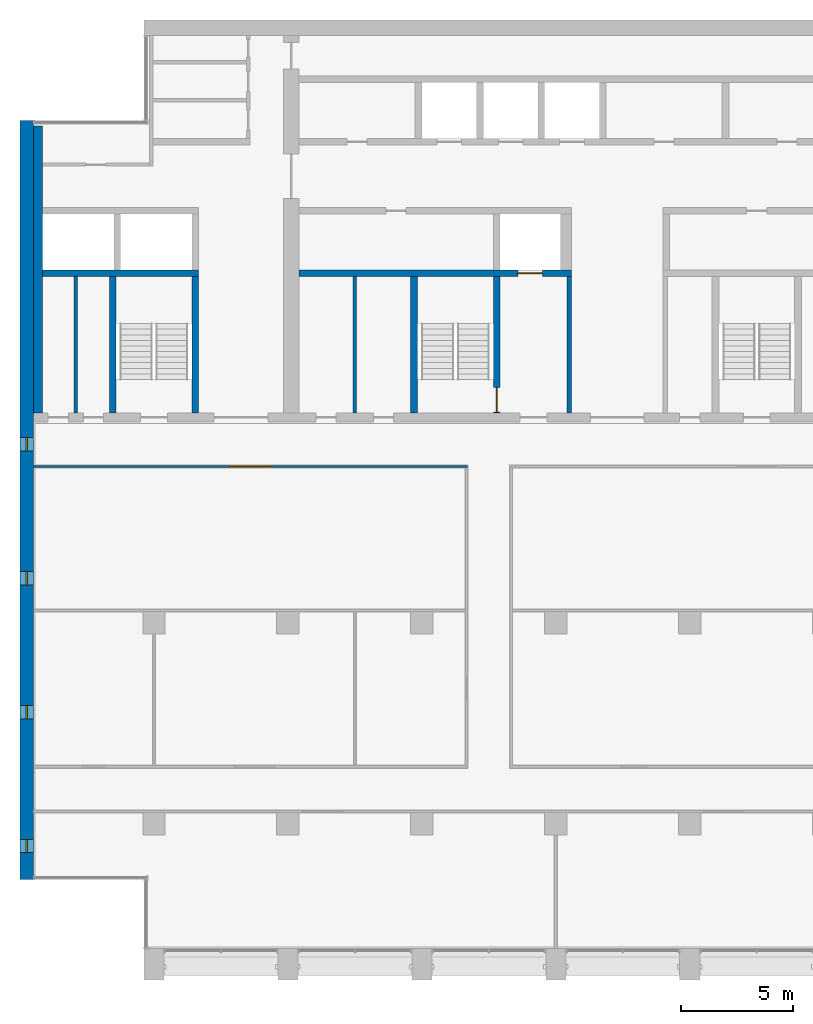
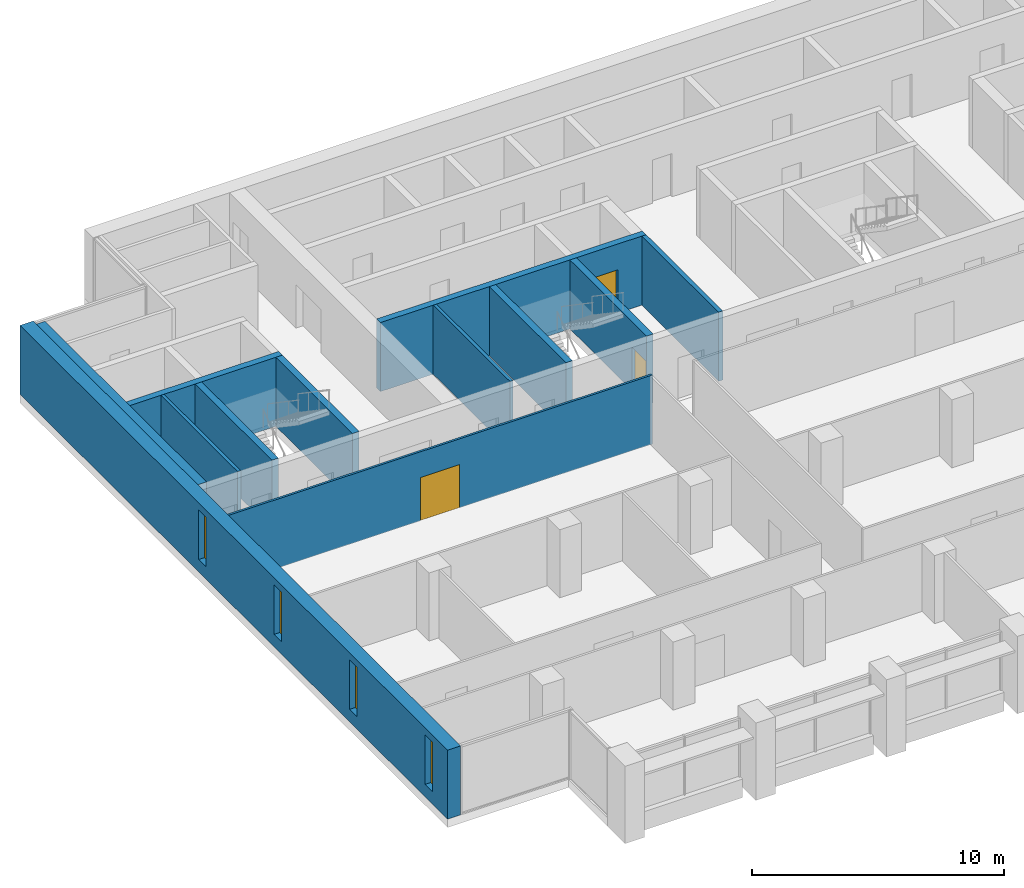
# One storey, part 8 of 17: 12 walls, 4 windows, 3 doors, 7 openings.
"""IFC4 building model written with IfcOpenShell, lengths in metres."""

from ifc_helpers import new_model, si_unit, direction, frame, frame_2d, origin, place, context, subcontext, project, spatial, rectangle, extrude, material, layer, layer_set, type_object, element, fill, save


model = new_model("IFC4")

# Units and contexts
model_context = context("Model", 3, precision=1e-05, world=origin(), true_north=direction((0.0, 1.0)))
body_context = subcontext(model_context, "Body", "Model", "MODEL_VIEW")
ifc_project = project(units=[si_unit("LENGTHUNIT", "METRE"), si_unit("AREAUNIT", "SQUARE_METRE"), si_unit("VOLUMEUNIT", "CUBIC_METRE"), si_unit("PLANEANGLEUNIT", "RADIAN"), si_unit("MASSUNIT", "GRAM", prefix="KILO")], contexts=[model_context])

# Site, building, storey
site_placement = place(None, origin())
site = spatial("IfcSite", under=ifc_project, at=site_placement, CompositionType="ELEMENT")
building_placement = place(site_placement, origin())
building = spatial("IfcBuilding", under=site, at=building_placement, Name="Calvaro Tower", CompositionType="ELEMENT")
storey_placement = place(building_placement, frame((0.0, 0.0, 211.75)))
storey = spatial("IfcBuildingStorey", under=building, at=storey_placement, Name="L53", CompositionType="ELEMENT", Elevation=211.75)

# Walls
ifc_material_1 = material(Name="Blockwork partition", Category="masonry")
ifc_layer_1 = layer(ifc_material_1, 0.14990234375)
ifc_layer_set_1 = layer_set([ifc_layer_1], Name="Blockwork partition")
wall_type_1 = type_object("IfcWallType", Name="Core partition 150 EI 60", PredefinedType="PARTITIONING", material=ifc_layer_set_1)
wall_1_placement = place(storey_placement, frame((21.0, 28.39990234375, 0.0), z_axis=(0.0, 0.0, 1.0), x_axis=(0.0, 1.0, 0.0)))
element("IfcWall", 1, at=wall_1_placement, inside=storey, type_object=wall_type_1, Name="Core partition", PredefinedType="PARTITIONING", context=body_context, shape_type="SweptSolid", body=[
    extrude(rectangle(XDim=6.10009765625, YDim=0.14990234375, at=frame_2d((3.050048828125, 0.0))), origin(), (0.0, 0.0, 1.0), 3.35009765625),
])
ifc_material_2 = material(Name="Blockwork partition", Category="masonry")
ifc_layer_2 = layer(ifc_material_2, 0.14990234375)
ifc_layer_set_2 = layer_set([ifc_layer_2], Name="Blockwork partition")
wall_type_2 = type_object("IfcWallType", Name="Core partition 150 REI 120", PredefinedType="PARTITIONING", material=ifc_layer_set_2)
wall_2_placement = place(storey_placement, frame((8.5, 28.39990234375, 0.0), z_axis=(0.0, 0.0, 1.0), x_axis=(0.0, 1.0, 0.0)))
element("IfcWall", 2, at=wall_2_placement, inside=storey, type_object=wall_type_2, Name="Core partition", PredefinedType="PARTITIONING", context=body_context, shape_type="SweptSolid", body=[
    extrude(rectangle(XDim=6.10009765625, YDim=0.14990234375, at=frame_2d((3.050048828125, 0.0))), origin(), (0.0, 0.0, 1.0), 3.35009765625),
])
ifc_material_3 = material(Name="Blockwork partition", Category="masonry")
ifc_layer_3 = layer(ifc_material_3, 0.199951171875)
ifc_layer_set_3 = layer_set([ifc_layer_3], Name="Blockwork partition")
wall_type_3 = type_object("IfcWallType", Name="Core partition 200 REI 120", PredefinedType="PARTITIONING", material=ifc_layer_set_3)
wall_3_placement = place(storey_placement, frame((30.60009765625, 28.39990234375, 0.0), z_axis=(0.0, 0.0, 1.0), x_axis=(0.0, 1.0, 0.0)))
element("IfcWall", 3, at=wall_3_placement, inside=storey, type_object=wall_type_3, Name="Core partition", PredefinedType="PARTITIONING", context=body_context, shape_type="SweptSolid", body=[
    extrude(rectangle(XDim=6.10009765625, YDim=0.199951171875, at=frame_2d((3.050048828125, 0.0))), origin(), (0.0, 0.0, 1.0), 3.35009765625),
])
ifc_material_4 = material(Name="Concrete C50/60", Category="concrete")
ifc_layer_4 = layer(ifc_material_4, 0.300048828125)
ifc_layer_set_4 = layer_set([ifc_layer_4], Name="Concrete C50/60")
wall_type_4 = type_object("IfcWallType", Name="Core wall C50/60 300", PredefinedType="SHEAR", material=ifc_layer_set_4)
for number, where, z_axis, x_axis, name in (
    (4, (10.14990234375, 28.39990234375, 0.0), (0.0, 0.0, 1.0), (0.0, 1.0, 0.0), "Core wall, stair enclosure"),
    (5, (13.85009765625, 28.39990234375, 0.0), (0.0, 0.0, 1.0), (0.0, 1.0, 0.0), "Core wall, stair enclosure"),
    (6, (23.64990234375, 28.39990234375, 0.0), (0.0, 0.0, 1.0), (0.0, 1.0, 0.0), "Core wall, stair enclosure"),
):
    element("IfcWall", number, at=place(storey_placement, frame(where, z_axis=z_axis, x_axis=x_axis)), inside=storey, type_object=wall_type_4, Name=name, PredefinedType="SHEAR", context=body_context, shape_type="SweptSolid", body=[
        extrude(rectangle(XDim=6.10009765625, YDim=0.300048828125, at=frame_2d((3.050048828125, 0.0))), origin(), (0.0, 0.0, 1.0), 3.35009765625),
    ])

# Wall, opening, door
wall_4_placement = place(storey_placement, frame((27.35009765625, 28.39990234375, 0.0), z_axis=(0.0, 0.0, 1.0), x_axis=(0.0, 1.0, 0.0)))
wall_4 = element("IfcWall", 7, at=wall_4_placement, inside=storey, type_object=wall_type_4, Name="Core wall, stair enclosure", PredefinedType="SHEAR", context=body_context, shape_type="SweptSolid", body=[
    extrude(rectangle(XDim=6.10009765625, YDim=0.300048828125, at=frame_2d((3.050048828125, 0.0))), origin(), (0.0, 0.0, 1.0), 3.35009765625),
])
opening_1_placement = place(wall_4_placement, frame((0.050048828125, 0.0, 0.0)))
opening_1 = element("IfcOpeningElement", 8, at=opening_1_placement, cuts=wall_4, Name="Opening FD11D", PredefinedType="OPENING", context=body_context, shape_type="SweptSolid", body=[
    extrude(rectangle(XDim=1.10009765625, YDim=2.10009765625, at=frame_2d((0.550048828125, 1.050048828125))), frame((0.0, 0.159912109375, 0.0), z_axis=(0.0, -1.0, 0.0), x_axis=(1.0, 0.0, 0.0)), (0.0, 0.0, 1.0), 0.320068359375),
])
ifc_material_5 = material(Name="Steel door set", Category="steel")
door_type_1 = type_object("IfcDoorType", Name="Fire door 1100 FD30S", OperationType="SINGLE_SWING_LEFT", PredefinedType="DOOR", material=ifc_material_5)
door_1_placement = place(opening_1_placement, origin())
door_1 = element("IfcDoor", 9, at=door_1_placement, inside=storey, type_object=door_type_1, Name="Fire door", OperationType="SINGLE_SWING_LEFT", OverallHeight=2.10009765625, OverallWidth=1.10009765625, PredefinedType="DOOR", context=body_context, shape_type="SweptSolid", body=[
    extrude(rectangle(XDim=1.10009765625, YDim=2.10009765625, at=frame_2d((0.550048828125, 1.050048828125))), frame((0.0, 0.02490234375, 0.0), z_axis=(0.0, -1.0, 0.0), x_axis=(1.0, 0.0, 0.0)), (0.0, 0.0, 1.0), 0.050048828125),
])
fill(opening_1, door_1)

# Wall
wall_5_placement = place(storey_placement, frame((7.0, 34.64990234375, 0.0), z_axis=(0.0, 0.0, 1.0), x_axis=(1.0, 0.0, 0.0)))
element("IfcWall", 10, at=wall_5_placement, inside=storey, type_object=wall_type_4, Name="Core wall, lift shaft", PredefinedType="SHEAR", context=body_context, shape_type="SweptSolid", body=[
    extrude(rectangle(XDim=7.0, YDim=0.300048828125, at=frame_2d((3.5, 0.0))), origin(), (0.0, 0.0, 1.0), 3.35009765625),
])

# Wall, opening, door
wall_6_placement = place(storey_placement, frame((18.5, 34.64990234375, 0.0), z_axis=(0.0, 0.0, 1.0), x_axis=(1.0, 0.0, 0.0)))
wall_6 = element("IfcWall", 11, at=wall_6_placement, inside=storey, type_object=wall_type_4, Name="Core wall, lift shaft", PredefinedType="SHEAR", context=body_context, shape_type="SweptSolid", body=[
    extrude(rectangle(XDim=12.199951171875, YDim=0.300048828125, at=frame_2d((6.10009765625, 0.0))), origin(), (0.0, 0.0, 1.0), 3.35009765625),
])
opening_2_placement = place(wall_6_placement, frame((9.800048828125, 0.0, 0.0)))
opening_2 = element("IfcOpeningElement", 12, at=opening_2_placement, cuts=wall_6, Name="Opening FF1", PredefinedType="OPENING", context=body_context, shape_type="SweptSolid", body=[
    extrude(rectangle(XDim=1.10009765625, YDim=2.10009765625, at=frame_2d((0.550048828125, 1.050048828125))), frame((0.0, 0.159912109375, 0.0), z_axis=(0.0, -1.0, 0.0), x_axis=(1.0, 0.0, 0.0)), (0.0, 0.0, 1.0), 0.320068359375),
])
ifc_material_6 = material(Name="Stainless steel", Category="steel")
door_type_2 = type_object("IfcDoorType", Name="Landing door 1100 E 60", OperationType="SLIDING_TO_LEFT", PredefinedType="DOOR", material=ifc_material_6)
door_2_placement = place(opening_2_placement, origin())
door_2 = element("IfcDoor", 13, at=door_2_placement, inside=storey, type_object=door_type_2, Name="Landing door FF1", OperationType="SLIDING_TO_LEFT", OverallHeight=2.10009765625, OverallWidth=1.10009765625, PredefinedType="DOOR", context=body_context, shape_type="SweptSolid", body=[
    extrude(rectangle(XDim=1.10009765625, YDim=2.10009765625, at=frame_2d((0.550048828125, 1.050048828125))), frame((0.0, 0.02490234375, 0.0), z_axis=(0.0, -1.0, 0.0), x_axis=(1.0, 0.0, 0.0)), (0.0, 0.0, 1.0), 0.050048828125),
])
fill(opening_2, door_2)

# Wall
ifc_material_7 = material(Name="Concrete C50/60", Category="concrete")
ifc_layer_5 = layer(ifc_material_7, 0.39990234375)
ifc_layer_set_5 = layer_set([ifc_layer_5], Name="Concrete C50/60")
wall_type_5 = type_object("IfcWallType", Name="Core wall C50/60 400", PredefinedType="SHEAR", material=ifc_layer_set_5)
wall_7_placement = place(storey_placement, frame((6.800048828125, 28.39990234375, 0.0), z_axis=(0.0, 0.0, 1.0), x_axis=(0.0, 1.0, 0.0)))
element("IfcWall", 14, at=wall_7_placement, inside=storey, type_object=wall_type_5, Name="Core wall, boundary", PredefinedType="SHEAR", context=body_context, shape_type="SweptSolid", body=[
    extrude(rectangle(XDim=12.85009765625, YDim=0.39990234375, at=frame_2d((6.425048828125, 0.0))), origin(), (0.0, 0.0, 1.0), 3.35009765625),
])

# Wall, openings, windows
ifc_material_8 = material(Name="Concrete C50/60", Category="concrete")
ifc_layer_6 = layer(ifc_material_8, 0.60009765625)
ifc_layer_set_6 = layer_set([ifc_layer_6], Name="Concrete C50/60")
wall_type_6 = type_object("IfcWallType", Name="End wall 600 C50/60", PredefinedType="SHEAR", material=ifc_layer_set_6)
wall_8_placement = place(storey_placement, frame((6.300048828125, 7.5, 0.0), z_axis=(0.0, 0.0, 1.0), x_axis=(0.0, 1.0, 0.0)))
wall_8 = element("IfcWall", 15, at=wall_8_placement, inside=storey, type_object=wall_type_6, Name="End shear wall", PredefinedType="SHEAR", context=body_context, shape_type="SweptSolid", body=[
    extrude(rectangle(XDim=34.0, YDim=0.60009765625, at=frame_2d((17.0, 0.0))), origin(), (0.0, 0.0, 1.0), 3.35009765625),
])
opening_3_placement = place(wall_8_placement, frame((1.199951171875, 0.0, 0.60009765625)))
opening_3 = element("IfcOpeningElement", 16, at=opening_3_placement, cuts=wall_8, Name="Opening WW01", PredefinedType="OPENING", context=body_context, shape_type="SweptSolid", body=[
    extrude(rectangle(XDim=0.60009765625, YDim=2.39990234375, at=frame_2d((0.300048828125, 1.199951171875))), frame((0.0, 0.31005859375, 0.0), z_axis=(0.0, -1.0, 0.0), x_axis=(1.0, 0.0, 0.0)), (0.0, 0.0, 1.0), 0.6201171875),
])
opening_4_placement = place(wall_8_placement, frame((7.199951171875, 0.0, 0.60009765625)))
opening_4 = element("IfcOpeningElement", 17, at=opening_4_placement, cuts=wall_8, Name="Opening WW02", PredefinedType="OPENING", context=body_context, shape_type="SweptSolid", body=[
    extrude(rectangle(XDim=0.60009765625, YDim=2.39990234375, at=frame_2d((0.300048828125, 1.199951171875))), frame((0.0, 0.31005859375, 0.0), z_axis=(0.0, -1.0, 0.0), x_axis=(1.0, 0.0, 0.0)), (0.0, 0.0, 1.0), 0.6201171875),
])
opening_5_placement = place(wall_8_placement, frame((13.199951171875, 0.0, 0.60009765625)))
opening_5 = element("IfcOpeningElement", 18, at=opening_5_placement, cuts=wall_8, Name="Opening WW03", PredefinedType="OPENING", context=body_context, shape_type="SweptSolid", body=[
    extrude(rectangle(XDim=0.60009765625, YDim=2.39990234375, at=frame_2d((0.300048828125, 1.199951171875))), frame((0.0, 0.31005859375, 0.0), z_axis=(0.0, -1.0, 0.0), x_axis=(1.0, 0.0, 0.0)), (0.0, 0.0, 1.0), 0.6201171875),
])
opening_6_placement = place(wall_8_placement, frame((19.199951171875, 0.0, 0.60009765625)))
opening_6 = element("IfcOpeningElement", 19, at=opening_6_placement, cuts=wall_8, Name="Opening WW04", PredefinedType="OPENING", context=body_context, shape_type="SweptSolid", body=[
    extrude(rectangle(XDim=0.60009765625, YDim=2.39990234375, at=frame_2d((0.300048828125, 1.199951171875))), frame((0.0, 0.31005859375, 0.0), z_axis=(0.0, -1.0, 0.0), x_axis=(1.0, 0.0, 0.0)), (0.0, 0.0, 1.0), 0.6201171875),
])
ifc_material_9 = material(Name="Glass", Category="glass")
window_type = type_object("IfcWindowType", Name="Slit window 600 x 2400", PartitioningType="SINGLE_PANEL", PredefinedType="WINDOW", material=ifc_material_9)
window_1_placement = place(opening_3_placement, origin())
window_1 = element("IfcWindow", 20, at=window_1_placement, inside=storey, type_object=window_type, Name="Window WW01", OverallHeight=2.39990234375, OverallWidth=0.60009765625, PartitioningType="SINGLE_PANEL", PredefinedType="WINDOW", context=body_context, shape_type="SweptSolid", body=[
    extrude(rectangle(XDim=0.60009765625, YDim=2.39990234375, at=frame_2d((0.300048828125, 1.199951171875))), frame((0.0, 0.030029296875, 0.0), z_axis=(0.0, -1.0, 0.0), x_axis=(1.0, 0.0, 0.0)), (0.0, 0.0, 1.0), 0.06005859375),
])
fill(opening_3, window_1)
window_2_placement = place(opening_4_placement, origin())
window_2 = element("IfcWindow", 21, at=window_2_placement, inside=storey, type_object=window_type, Name="Window WW02", OverallHeight=2.39990234375, OverallWidth=0.60009765625, PartitioningType="SINGLE_PANEL", PredefinedType="WINDOW", context=body_context, shape_type="SweptSolid", body=[
    extrude(rectangle(XDim=0.60009765625, YDim=2.39990234375, at=frame_2d((0.300048828125, 1.199951171875))), frame((0.0, 0.030029296875, 0.0), z_axis=(0.0, -1.0, 0.0), x_axis=(1.0, 0.0, 0.0)), (0.0, 0.0, 1.0), 0.06005859375),
])
fill(opening_4, window_2)
window_3_placement = place(opening_5_placement, origin())
window_3 = element("IfcWindow", 22, at=window_3_placement, inside=storey, type_object=window_type, Name="Window WW03", OverallHeight=2.39990234375, OverallWidth=0.60009765625, PartitioningType="SINGLE_PANEL", PredefinedType="WINDOW", context=body_context, shape_type="SweptSolid", body=[
    extrude(rectangle(XDim=0.60009765625, YDim=2.39990234375, at=frame_2d((0.300048828125, 1.199951171875))), frame((0.0, 0.030029296875, 0.0), z_axis=(0.0, -1.0, 0.0), x_axis=(1.0, 0.0, 0.0)), (0.0, 0.0, 1.0), 0.06005859375),
])
fill(opening_5, window_3)
window_4_placement = place(opening_6_placement, origin())
window_4 = element("IfcWindow", 23, at=window_4_placement, inside=storey, type_object=window_type, Name="Window WW04", OverallHeight=2.39990234375, OverallWidth=0.60009765625, PartitioningType="SINGLE_PANEL", PredefinedType="WINDOW", context=body_context, shape_type="SweptSolid", body=[
    extrude(rectangle(XDim=0.60009765625, YDim=2.39990234375, at=frame_2d((0.300048828125, 1.199951171875))), frame((0.0, 0.030029296875, 0.0), z_axis=(0.0, -1.0, 0.0), x_axis=(1.0, 0.0, 0.0)), (0.0, 0.0, 1.0), 0.06005859375),
])
fill(opening_6, window_4)

# Wall, opening, door
ifc_material_10 = material(Name="Plasterboard on steel studs", Category="steel")
ifc_layer_7 = layer(ifc_material_10, 0.10009765625)
ifc_layer_set_7 = layer_set([ifc_layer_7], Name="Plasterboard on steel studs")
wall_type_7 = type_object("IfcWallType", Name="Partition 100", PredefinedType="PARTITIONING", material=ifc_layer_set_7)
wall_9_placement = place(storey_placement, frame((6.60009765625, 26.0, 0.0), z_axis=(0.0, 0.0, 1.0), x_axis=(1.0, 0.0, 0.0)))
wall_9 = element("IfcWall", 24, at=wall_9_placement, inside=storey, type_object=wall_type_7, Name="Partition T30.W008", PredefinedType="PARTITIONING", context=body_context, shape_type="SweptSolid", body=[
    extrude(rectangle(XDim=19.449951171875, YDim=0.10009765625, at=frame_2d((9.72509765625, 0.0))), origin(), (0.0, 0.0, 1.0), 3.35009765625),
])
opening_7_placement = place(wall_9_placement, frame((8.800048828125, 0.0, 0.0)))
opening_7 = element("IfcOpeningElement", 25, at=opening_7_placement, cuts=wall_9, Name="Opening T30.012", PredefinedType="OPENING", context=body_context, shape_type="SweptSolid", body=[
    extrude(rectangle(XDim=1.800048828125, YDim=2.10009765625, at=frame_2d((0.89990234375, 1.050048828125))), frame((0.0, 0.06005859375, 0.0), z_axis=(0.0, -1.0, 0.0), x_axis=(1.0, 0.0, 0.0)), (0.0, 0.0, 1.0), 0.1201171875),
])
ifc_material_11 = material(Name="Timber", Category="wood")
door_type_3 = type_object("IfcDoorType", Name="Internal double door 1800 x 2100", OperationType="DOUBLE_DOOR_SINGLE_SWING", PredefinedType="DOOR", material=ifc_material_11)
door_3_placement = place(opening_7_placement, origin())
door_3 = element("IfcDoor", 26, at=door_3_placement, inside=storey, type_object=door_type_3, Name="Door T30.012", OperationType="DOUBLE_DOOR_SINGLE_SWING", OverallHeight=2.10009765625, OverallWidth=1.800048828125, PredefinedType="DOOR", context=body_context, shape_type="SweptSolid", body=[
    extrude(rectangle(XDim=1.800048828125, YDim=2.10009765625, at=frame_2d((0.89990234375, 1.050048828125))), frame((0.0, 0.02490234375, 0.0), z_axis=(0.0, -1.0, 0.0), x_axis=(1.0, 0.0, 0.0)), (0.0, 0.0, 1.0), 0.050048828125),
])
fill(opening_7, door_3)

save(model, "model.ifc")
